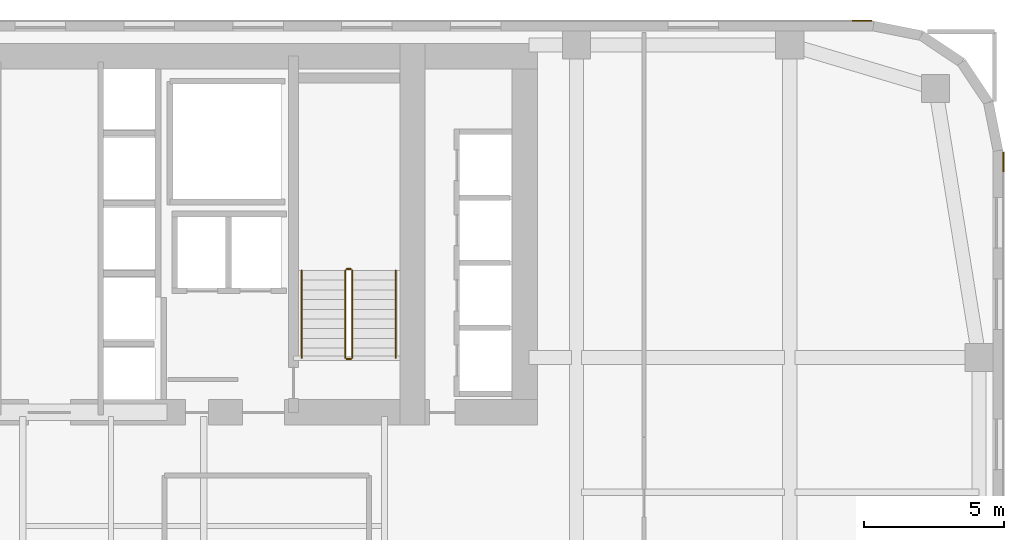
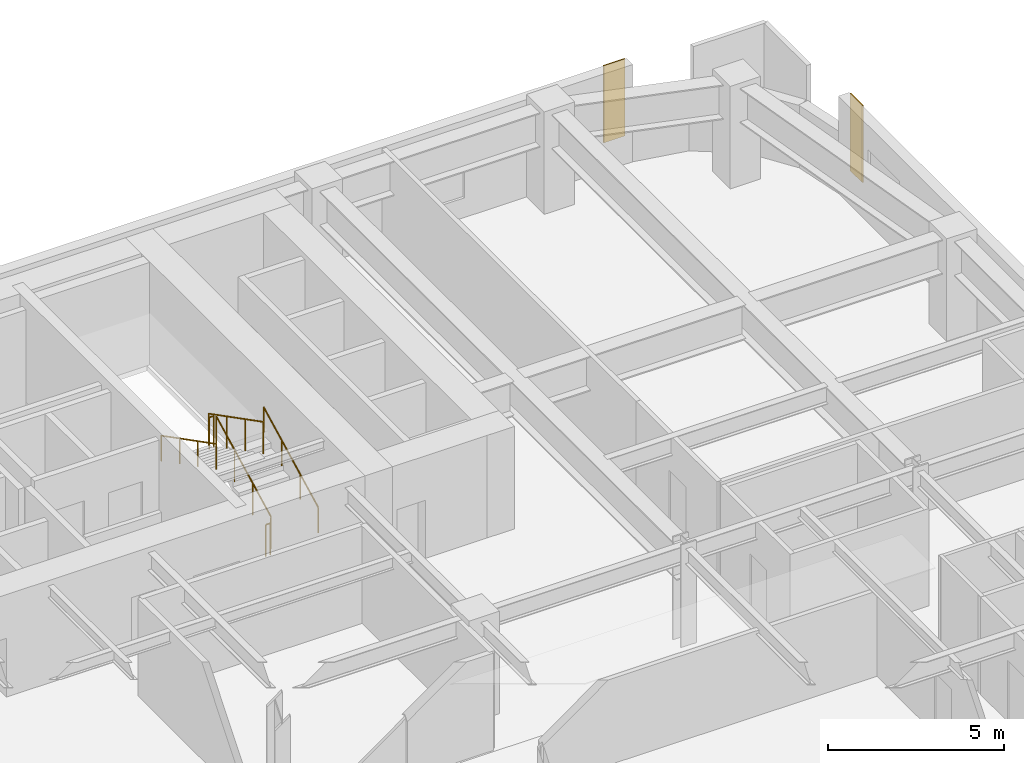
# One storey, part 25 of 25: 6 railings, 2 coverings.
"""IFC4 building model written with IfcOpenShell, lengths in metres."""

from ifc_helpers import new_model, si_unit, direction, frame, origin, origin_2d, place, context, subcontext, project, spatial, polyline, circle, outline, extrude, material, layer, layer_set, type_object, element, save


model = new_model("IFC4")

# Units and contexts
model_context = context("Model", 3, precision=1e-05, world=origin(), true_north=direction((0.0, 1.0)))
body_context = subcontext(model_context, "Body", "Model", "MODEL_VIEW")
ifc_project = project(units=[si_unit("LENGTHUNIT", "METRE"), si_unit("AREAUNIT", "SQUARE_METRE"), si_unit("VOLUMEUNIT", "CUBIC_METRE"), si_unit("PLANEANGLEUNIT", "RADIAN"), si_unit("MASSUNIT", "GRAM", prefix="KILO")], contexts=[model_context])

# Site, building, storey
site_placement = place(None, origin())
site = spatial("IfcSite", under=ifc_project, at=site_placement, CompositionType="ELEMENT")
building_placement = place(site_placement, origin())
building = spatial("IfcBuilding", under=site, at=building_placement, Name="Tolvann Quenvar Hotel", CompositionType="ELEMENT")
storey_placement = place(building_placement, frame((0.0, 0.0, 60.39990234375)))
storey = spatial("IfcBuildingStorey", under=building, at=storey_placement, Name="L14", CompositionType="ELEMENT", Elevation=60.39990234375)

# Coverings
ifc_material_1 = material(Name="Kiln-fired red architectural face brick cladding", Category="masonry")
ifc_layer = layer(ifc_material_1, 0.0400390625)
ifc_layer_set = layer_set([ifc_layer], Name="Kiln-fired red architectural face brick cladding")
covering_type = type_object("IfcCoveringType", Name="COV_CLAD_BRICK_40", PredefinedType="CLADDING", material=ifc_layer_set)
covering_1_placement = place(storey_placement, frame((0.0, 0.0, 0.7001953125)))
element("IfcCovering", 1, at=covering_1_placement, inside=storey, type_object=covering_type, Name="Brick Pier Cladding (L14-E13-P2)", PredefinedType="CLADDING", context=body_context, shape_type="SweptSolid", body=[
    extrude(outline(polyline([(57.0, 40.6328125), (57.0, 41.332763671875), (57.0400390625, 41.332763671875), (57.0400390625, 40.6328125), (57.0, 40.6328125)])), origin(), (0.0, 0.0, 1.0), 2.669921875),
])
covering_2_placement = place(storey_placement, frame((0.0, 0.0, 0.7001953125)))
element("IfcCovering", 2, at=covering_2_placement, inside=storey, type_object=covering_type, Name="Brick Pier Cladding (L14-E18-P1)", PredefinedType="CLADDING", context=body_context, shape_type="SweptSolid", body=[
    extrude(outline(polyline([(52.332763671875, 46.0), (51.6328125, 46.0), (51.6328125, 46.0400390625), (52.332763671875, 46.0400390625), (52.332763671875, 46.0)])), origin(), (0.0, 0.0, 1.0), 2.669921875),
])

# Railings
ifc_material_2 = material(Name="Brushed 316 stainless steel balustrade and handrail", Category="steel")
railing_type_1 = type_object("IfcRailingType", Name="GUARDRAIL", PredefinedType="GUARDRAIL", material=ifc_material_2)
railing_1_placement = place(storey_placement, frame((33.800048828125, 34.0, 0.177490234375)))
element("IfcRailing", 3, at=railing_1_placement, inside=storey, type_object=railing_type_1, Name="L14 ST-C2 stair guard 1", PredefinedType="GUARDRAIL", context=body_context, shape_type="SweptSolid", body=[
    extrude(circle(Radius=0.02392578125, at=origin_2d()), frame((0.0, 0.0, 1.09619140625), z_axis=(0.0, 0.88919353882, 0.457531256332), x_axis=(-1.0, 0.0, 0.0)), (0.0, 0.0, 1.0), 3.491943359375),
    extrude(circle(Radius=0.02099609375, at=origin_2d()), origin(), (0.0, 0.0, 1.0), 1.072021484375),
    extrude(circle(Radius=0.02099609375, at=origin_2d()), frame((0.0, 1.034912109375, 0.532470703125)), (0.0, 0.0, 1.0), 1.072021484375),
    extrude(circle(Radius=0.02099609375, at=origin_2d()), frame((0.0, 2.070068359375, 1.065185546875)), (0.0, 0.0, 1.0), 1.072021484375),
    extrude(circle(Radius=0.02099609375, at=origin_2d()), frame((0.0, 3.10498046875, 1.59765625)), (0.0, 0.0, 1.0), 1.072021484375),
])
railing_2_placement = place(storey_placement, frame((33.75, 37.155029296875, 1.775146484375)))
element("IfcRailing", 4, at=railing_2_placement, inside=storey, type_object=railing_type_1, Name="L14 ST-C2 stair guard 2", PredefinedType="GUARDRAIL", context=body_context, shape_type="SweptSolid", body=[
    extrude(circle(Radius=0.02392578125, at=origin_2d()), frame((0.0, 0.0, 1.09619140625), z_axis=(-1.0, 0.0, 0.0), x_axis=(0.0, -1.0, 0.0)), (0.0, 0.0, 1.0), 0.14990234375),
    extrude(circle(Radius=0.02099609375, at=origin_2d()), origin(), (0.0, 0.0, 1.0), 1.072021484375),
    extrude(circle(Radius=0.02099609375, at=origin_2d()), frame((-0.14990234375, 0.0, 0.0)), (0.0, 0.0, 1.0), 1.072021484375),
])
railing_3_placement = place(storey_placement, frame((33.550048828125, 37.10498046875, 1.95263671875)))
element("IfcRailing", 5, at=railing_3_placement, inside=storey, type_object=railing_type_1, Name="L14 ST-C2 stair guard 3", PredefinedType="GUARDRAIL", context=body_context, shape_type="SweptSolid", body=[
    extrude(circle(Radius=0.02392578125, at=origin_2d()), frame((0.0, 0.0, 1.09619140625), z_axis=(0.0, -0.889221982265, 0.45747597342), x_axis=(1.0, 0.0, 0.0)), (0.0, 0.0, 1.0), 3.49169921875),
    extrude(circle(Radius=0.02099609375, at=origin_2d()), origin(), (0.0, 0.0, 1.0), 1.072021484375),
    extrude(circle(Radius=0.02099609375, at=origin_2d()), frame((0.0, -1.034912109375, 0.532470703125)), (0.0, 0.0, 1.0), 1.072021484375),
    extrude(circle(Radius=0.02099609375, at=origin_2d()), frame((0.0, -2.070068359375, 1.06494140625)), (0.0, 0.0, 1.0), 1.072021484375),
    extrude(circle(Radius=0.02099609375, at=origin_2d()), frame((0.0, -3.10498046875, 1.597412109375)), (0.0, 0.0, 1.0), 1.072021484375),
])
railing_4_placement = place(storey_placement, frame((33.75, 33.949951171875, 0.0)))
element("IfcRailing", 6, at=railing_4_placement, inside=storey, type_object=railing_type_1, Name="L14 ST-C2 stair guard 4", PredefinedType="GUARDRAIL", context=body_context, shape_type="SweptSolid", body=[
    extrude(circle(Radius=0.02392578125, at=origin_2d()), frame((0.0, 0.0, 1.09619140625), z_axis=(-1.0, 0.0, 0.0), x_axis=(0.0, -1.0, 0.0)), (0.0, 0.0, 1.0), 0.14990234375),
    extrude(circle(Radius=0.02099609375, at=origin_2d()), origin(), (0.0, 0.0, 1.0), 1.072021484375),
    extrude(circle(Radius=0.02099609375, at=origin_2d()), frame((-0.14990234375, 0.0, 0.0)), (0.0, 0.0, 1.0), 1.072021484375),
])
railing_type_2 = type_object("IfcRailingType", Name="HANDRAIL", PredefinedType="HANDRAIL", material=ifc_material_2)
railing_5_placement = place(storey_placement, frame((35.35009765625, 34.0, 0.177490234375)))
element("IfcRailing", 7, at=railing_5_placement, inside=storey, type_object=railing_type_2, Name="L14 ST-C2 stair handrail 1", PredefinedType="HANDRAIL", context=body_context, shape_type="SweptSolid", body=[
    extrude(circle(Radius=0.02392578125, at=origin_2d()), frame((0.0, 0.0, 0.8759765625), z_axis=(0.0, 0.88919353882, 0.457531256332), x_axis=(-1.0, 0.0, 0.0)), (0.0, 0.0, 1.0), 3.491943359375),
    extrude(circle(Radius=0.02099609375, at=origin_2d()), origin(), (0.0, 0.0, 1.0), 0.851806640625),
    extrude(circle(Radius=0.02099609375, at=origin_2d()), frame((0.0, 1.034912109375, 0.532470703125)), (0.0, 0.0, 1.0), 0.851806640625),
    extrude(circle(Radius=0.02099609375, at=origin_2d()), frame((0.0, 2.070068359375, 1.065185546875)), (0.0, 0.0, 1.0), 0.851806640625),
    extrude(circle(Radius=0.02099609375, at=origin_2d()), frame((0.0, 3.10498046875, 1.59765625)), (0.0, 0.0, 1.0), 0.851806640625),
])
railing_6_placement = place(storey_placement, frame((32.0, 37.10498046875, 1.95263671875)))
element("IfcRailing", 8, at=railing_6_placement, inside=storey, type_object=railing_type_2, Name="L14 ST-C2 stair handrail 2", PredefinedType="HANDRAIL", context=body_context, shape_type="SweptSolid", body=[
    extrude(circle(Radius=0.02392578125, at=origin_2d()), frame((0.0, 0.0, 0.8759765625), z_axis=(0.0, -0.889221982265, 0.45747597342), x_axis=(1.0, 0.0, 0.0)), (0.0, 0.0, 1.0), 3.49169921875),
    extrude(circle(Radius=0.02099609375, at=origin_2d()), origin(), (0.0, 0.0, 1.0), 0.851806640625),
    extrude(circle(Radius=0.02099609375, at=origin_2d()), frame((0.0, -1.034912109375, 0.532470703125)), (0.0, 0.0, 1.0), 0.851806640625),
    extrude(circle(Radius=0.02099609375, at=origin_2d()), frame((0.0, -2.070068359375, 1.06494140625)), (0.0, 0.0, 1.0), 0.851806640625),
    extrude(circle(Radius=0.02099609375, at=origin_2d()), frame((0.0, -3.10498046875, 1.597412109375)), (0.0, 0.0, 1.0), 0.851806640625),
])

save(model, "model.ifc")
